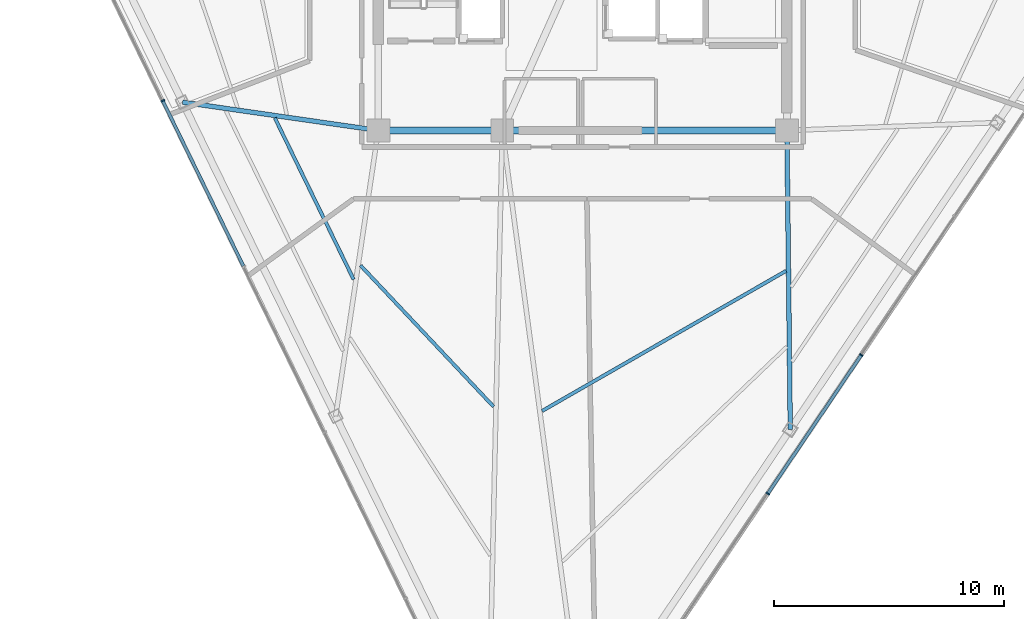
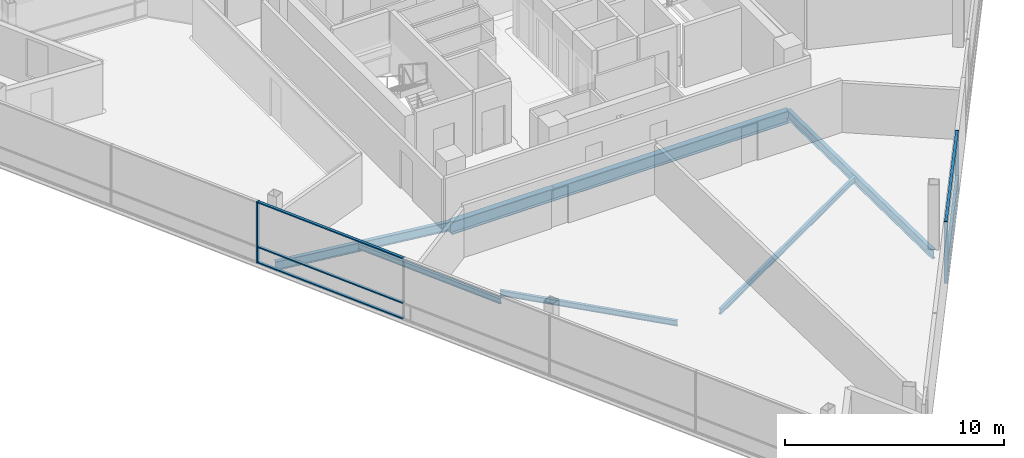
# One storey, part 3 of 14: 9 members, 7 beams, 2 elements without a shape of their own.
"""IFC4 building model written with IfcOpenShell, lengths in metres."""

import ifcopenshell
import ifcopenshell.guid

model = None  # the IFC model being written
_history = None  # IfcOwnerHistory: only IFC2X3 demands one
_inside = {}  # id of a spatial element -> (the spatial element, [elements in it])
_under = {}  # id of a project, library or spatial element -> (it, [spatial elements below it])
_declared = {}  # id of a project -> (the project, [libraries it declares])
_typed = {}  # id of a type object -> (the type object, [elements of that type])
_made_of = {}  # id of a material, layer set ... -> (it, [elements and type objects made of it])


def new_model(schema):
    """Start an empty IFC model of exactly this schema.

    Asked for "IFC4X3", IfcOpenShell would pick the latest addendum, in which some entities
    have other attributes; the version numbers below select the first issue.
    IFC2X3 requires an IfcOwnerHistory on every rooted entity: one is made here for all.
    """
    global model, _history
    if schema == "IFC4X3":
        model = ifcopenshell.file(schema_version=(4, 3, 0, 0))
    else:
        model = ifcopenshell.file(schema=schema)
    _inside.clear()
    _under.clear()
    _declared.clear()
    _typed.clear()
    _made_of.clear()
    _history = None
    if model.schema == "IFC2X3":
        org = make("IfcOrganization", Name="unknown")
        user = make(
            "IfcPersonAndOrganization",
            ThePerson=make("IfcPerson", FamilyName="unknown"),
            TheOrganization=org,
        )
        app = make(
            "IfcApplication",
            ApplicationDeveloper=org,
            Version="unknown",
            ApplicationFullName="unknown",
            ApplicationIdentifier="unknown",
        )
        _history = make(
            "IfcOwnerHistory",
            OwningUser=user,
            OwningApplication=app,
            ChangeAction="ADDED",
            CreationDate=0,
        )
    return model


def make(cls, **values):
    """One entity of the class cls with the attributes given. An attribute that is None is left unset."""
    return model.create_entity(
        cls, **{name: value for name, value in values.items() if value is not None}
    )


def rooted(cls, **values):
    """An entity with a GlobalId (a new one), such as an element, a storey or a relation."""
    return make(cls, GlobalId=ifcopenshell.guid.new(), OwnerHistory=_history, **values)


def si_unit(unit_type, name, prefix=None):
    """IfcSIUnit, for example si_unit("LENGTHUNIT", "METRE", prefix="MILLI")."""
    return make("IfcSIUnit", UnitType=unit_type, Prefix=prefix, Name=name)


def assignment(units):
    """IfcUnitAssignment: the units of a project."""
    return None if units is None else make("IfcUnitAssignment", Units=units)


def point(xyz):
    """IfcCartesianPoint."""
    return None if xyz is None else make("IfcCartesianPoint", Coordinates=xyz)


def direction(xyz):
    """IfcDirection."""
    return None if xyz is None else make("IfcDirection", DirectionRatios=xyz)


def frame(location, z_axis=None, x_axis=None):
    """IfcAxis2Placement3D, a coordinate frame: its origin and axes. An axis left out is left unset."""
    return make(
        "IfcAxis2Placement3D",
        Location=point(location),
        Axis=direction(z_axis),
        RefDirection=direction(x_axis),
    )


def frame_2d(location, x_axis=None):
    """IfcAxis2Placement2D, a coordinate frame in the plane: its origin and x axis."""
    return make(
        "IfcAxis2Placement2D", Location=point(location), RefDirection=direction(x_axis)
    )


def origin():
    """The frame at (0, 0, 0) with its axes left unset."""
    return frame((0.0, 0.0, 0.0))


def origin_2d():
    """The frame at (0, 0) in the plane with its x axis left unset."""
    return frame_2d((0.0, 0.0))


def place(relative_to, where):
    """IfcLocalPlacement: puts the frame where relative to a parent placement (None: the world)."""
    return make(
        "IfcLocalPlacement", PlacementRelTo=relative_to, RelativePlacement=where
    )


def context(
    kind, dimensions, precision=None, world=None, true_north=None, identifier=None
):
    """IfcGeometricRepresentationContext, for example the 3D "Model" context."""
    return make(
        "IfcGeometricRepresentationContext",
        ContextIdentifier=identifier,
        ContextType=kind,
        CoordinateSpaceDimension=dimensions,
        Precision=precision,
        WorldCoordinateSystem=world,
        TrueNorth=true_north,
    )


def subcontext(parent, identifier, kind, view, scale=None):
    """IfcGeometricRepresentationSubContext, for example "Body" below "Model"."""
    return make(
        "IfcGeometricRepresentationSubContext",
        ContextIdentifier=identifier,
        ContextType=kind,
        ParentContext=parent,
        TargetScale=scale,
        TargetView=view,
    )


def project(units=None, contexts=None):
    """IfcProject with its units and contexts."""
    return rooted(
        "IfcProject",
        Name="project",
        RepresentationContexts=contexts,
        UnitsInContext=assignment(units),
    )


def spatial(cls, under=None, at=None, **own):
    """A site, building, storey or space (cls), placed at a placement, below another one or the project."""
    s = rooted(cls, ObjectPlacement=at, **own)
    if under is not None:
        _under.setdefault(under.id(), (under, []))[1].append(s)
    return s


def profile(cls, at=None, kind="AREA", **sizes):
    """A parametric profile (cls). Its sizes go by their IFC names, for example OverallWidth=200.0."""
    return make(cls, ProfileType=kind, Position=at, **sizes)


def rectangle(**sizes):
    """IfcRectangleProfileDef."""
    return profile("IfcRectangleProfileDef", **sizes)


def i_section(**sizes):
    """IfcIShapeProfileDef."""
    return profile("IfcIShapeProfileDef", **sizes)


def extrude(swept, where, along, depth):
    """IfcExtrudedAreaSolid: the profile swept, set in the frame where, extruded along a direction by depth."""
    return make(
        "IfcExtrudedAreaSolid",
        SweptArea=swept,
        Position=where,
        ExtrudedDirection=direction(along),
        Depth=depth,
    )


def shape(context_of_items, identifier, shape_type, items):
    """IfcShapeRepresentation: the items that make up one representation, for example the "Body"."""
    return make(
        "IfcShapeRepresentation",
        ContextOfItems=context_of_items,
        RepresentationIdentifier=identifier,
        RepresentationType=shape_type,
        Items=items,
    )


def material(Name=None, Category=None):
    """IfcMaterial."""
    return make("IfcMaterial", Name=Name, Category=Category)


def layer(
    of_material, thickness, ventilated=None, Name=None, Category=None, Priority=None
):
    """IfcMaterialLayer: one layer of a wall or slab, of a material (None: an air gap)."""
    return make(
        "IfcMaterialLayer",
        Material=of_material,
        LayerThickness=thickness,
        IsVentilated=ventilated,
        Name=Name,
        Category=Category,
        Priority=Priority,
    )


def layer_set(layers, Name=None):
    """IfcMaterialLayerSet."""
    return make("IfcMaterialLayerSet", MaterialLayers=layers, LayerSetName=Name)


def material_profile(
    of_material, cross_section, Name=None, Category=None, Priority=None
):
    """IfcMaterialProfile: a cross section and its material."""
    return make(
        "IfcMaterialProfile",
        Name=Name,
        Material=of_material,
        Profile=cross_section,
        Priority=Priority,
        Category=Category,
    )


def profile_set(profiles, Name=None, composite=None):
    """IfcMaterialProfileSet."""
    return make(
        "IfcMaterialProfileSet",
        Name=Name,
        MaterialProfiles=profiles,
        CompositeProfile=composite,
    )


def made_of(thing, what):
    """Note that an element or type object is made of a material, layer set ...; save() writes the relation."""
    if what is not None:
        _made_of.setdefault(what.id(), (what, []))[1].append(thing)
    return thing


def type_object(cls, material=None, **own):
    """A type object (cls), such as IfcWallType, which elements share."""
    return made_of(rooted(cls, **own), material)


def element(
    cls,
    number,
    at=None,
    inside=None,
    cuts=None,
    type_object=None,
    material=None,
    context=None,
    identifier="Body",
    shape_type=None,
    held_by="IfcProductDefinitionShape",
    body=None,
    shapes=None,
    **own,
):
    """One element of the class cls, such as IfcWall. Its Tag is "e" and its number.

    at: its placement. inside: the storey or other place that contains it. cuts: it is an
    opening in that element (IfcRelVoidsElement). A single representation is given by context,
    identifier, shape_type and body (its items); several are given by shapes. held_by: the class
    of the entity that holds the representations. save() writes the other relations.
    """
    e = rooted(cls, Tag="e%d" % number, ObjectPlacement=at, **own)
    if body is not None:
        shapes = [shape(context, identifier, shape_type, body)]
    if shapes is not None:
        e.Representation = make(held_by, Representations=shapes)
    if inside is not None:
        _inside.setdefault(inside.id(), (inside, []))[1].append(e)
    if cuts is not None:
        rooted(
            "IfcRelVoidsElement", RelatingBuildingElement=cuts, RelatedOpeningElement=e
        )
    if type_object is not None:
        _typed.setdefault(type_object.id(), (type_object, []))[1].append(e)
    return made_of(e, material)


def aggregate(whole, parts):
    """IfcRelAggregates: a whole, such as a stair, and the parts it consists of."""
    return rooted("IfcRelAggregates", RelatingObject=whole, RelatedObjects=parts)


def save(model, path):
    """Write the relations noted so far, then the file.

    IfcRelAggregates (storeys below a building ...), IfcRelContainedInSpatialStructure (elements
    in a storey), IfcRelDefinesByType, IfcRelAssociatesMaterial and IfcRelDeclares: one each for
    every whole, place, type object, material and project.
    """
    for whole, parts in _under.values():
        aggregate(whole, parts)
    for where, things in _inside.values():
        rooted(
            "IfcRelContainedInSpatialStructure",
            RelatedElements=things,
            RelatingStructure=where,
        )
    for kind, things in _typed.values():
        rooted("IfcRelDefinesByType", RelatedObjects=things, RelatingType=kind)
    for what, things in _made_of.values():
        rooted("IfcRelAssociatesMaterial", RelatedObjects=things, RelatingMaterial=what)
    for by, libraries in _declared.values():
        rooted("IfcRelDeclares", RelatingContext=by, RelatedDefinitions=libraries)
    model.write(path)


model = new_model("IFC4")

# Units and contexts
model_context = context("Model", 3, precision=1e-05, world=origin(), true_north=direction((0.0, 1.0)))
body_context = subcontext(model_context, "Body", "Model", "MODEL_VIEW")
ifc_project = project(units=[si_unit("LENGTHUNIT", "METRE"), si_unit("AREAUNIT", "SQUARE_METRE"), si_unit("VOLUMEUNIT", "CUBIC_METRE"), si_unit("PLANEANGLEUNIT", "RADIAN"), si_unit("MASSUNIT", "GRAM", prefix="KILO")], contexts=[model_context])

# Site, building, storey
site_placement = place(None, origin())
site = spatial("IfcSite", under=ifc_project, at=site_placement, CompositionType="ELEMENT")
building_placement = place(site_placement, origin())
building = spatial("IfcBuilding", under=site, at=building_placement, Name="Tharavind Bronze Gate", CompositionType="ELEMENT")
storey_placement = place(building_placement, frame((0.0, 0.0, 241.449951171875)))
storey = spatial("IfcBuildingStorey", under=building, at=storey_placement, Name="L62", CompositionType="ELEMENT", Elevation=241.449951171875)

# Curtain wall, member
ifc_material_1 = material(Name="Anodised Bronze Aluminium", Category="aluminium")
ifc_layer = layer(ifc_material_1, 0.219970703125)
ifc_layer_set = layer_set([ifc_layer], Name="Anodised Bronze Aluminium")
curtain_wall_type = type_object("IfcCurtainWallType", Name="UNITISED CURTAIN WALL UPPER OFFICE", PredefinedType="USERDEFINED", material=ifc_layer_set)
curtain_wall_1_placement = place(storey_placement, origin())
curtain_wall_1 = element("IfcCurtainWall", 1, at=curtain_wall_1_placement, inside=storey, type_object=curtain_wall_type, Name="L62 unitised curtain wall upper office CW-L62-S1", ObjectType="UNITISED CURTAIN WALL", PredefinedType="USERDEFINED")
member_type_1 = type_object("IfcMemberType", Name="CURTAIN WALL BRONZE MULLION 65X180", PredefinedType="MULLION", material=ifc_material_1)
member_1_placement = place(storey_placement, frame((-18.289794921875, -6.308349609375, 0.0), z_axis=(0.0, 0.0, 1.0), x_axis=(0.438371146789, -0.898794046299, 0.0)))
member_1 = element("IfcMember", 2, at=member_1_placement, type_object=member_type_1, Name="CW-L62-S1 mullion 3", PredefinedType="MULLION", context=body_context, shape_type="SweptSolid", body=[
    extrude(rectangle(XDim=0.06494140625, YDim=0.179931640625, at=origin_2d()), origin(), (0.0, 0.0, 1.0), 3.419921875),
])

# Curtain wall, members
curtain_wall_2_placement = place(storey_placement, origin())
curtain_wall_2 = element("IfcCurtainWall", 3, at=curtain_wall_2_placement, inside=storey, type_object=curtain_wall_type, Name="L62 unitised curtain wall upper office CW-L62-S2", ObjectType="UNITISED CURTAIN WALL", PredefinedType="USERDEFINED")
member_2_placement = place(storey_placement, frame((8.06787109375, -23.4189453125, 0.0), z_axis=(0.0, 0.0, 1.0), x_axis=(0.559192903471, 0.829037572555, 0.0)))
member_2 = element("IfcMember", 4, at=member_2_placement, type_object=member_type_1, Name="CW-L62-S2 mullion 3", PredefinedType="MULLION", context=body_context, shape_type="SweptSolid", body=[
    extrude(rectangle(XDim=0.06494140625, YDim=0.179931640625, at=origin_2d()), origin(), (0.0, 0.0, 1.0), 3.419921875),
])
member_3_placement = place(storey_placement, frame((12.140380859375, -17.381103515625, 0.0), z_axis=(0.0, 0.0, 1.0), x_axis=(0.559192903471, 0.829037572555, 0.0)))
member_3 = element("IfcMember", 5, at=member_3_placement, type_object=member_type_1, Name="CW-L62-S2 mullion 4", PredefinedType="MULLION", context=body_context, shape_type="SweptSolid", body=[
    extrude(rectangle(XDim=0.06494140625, YDim=0.179931640625, at=origin_2d()), origin(), (0.0, 0.0, 1.0), 3.419921875),
])

# Member
member_type_2 = type_object("IfcMemberType", Name="CURTAIN WALL BRONZE TRANSOM 65X140", PredefinedType="USERDEFINED", material=ifc_material_1)
member_4_placement = place(storey_placement, frame((-16.528076171875, -9.920654296875, 0.0), z_axis=(0.0, 0.0, 1.0), x_axis=(0.438371146789, -0.898794046299, 0.0)))
member_4 = element("IfcMember", 6, at=member_4_placement, type_object=member_type_2, Name="CW-L62-S1 transom TB3", ObjectType="TRANSOM", PredefinedType="USERDEFINED", context=body_context, shape_type="SweptSolid", body=[
    extrude(rectangle(XDim=7.985107421875, YDim=0.139892578125, at=origin_2d()), origin(), (0.0, 0.0, 1.0), 0.06494140625),
])

member_5_placement = place(storey_placement, frame((-16.528076171875, -9.920654296875, 0.86767578125), z_axis=(0.0, 0.0, 1.0), x_axis=(0.438371146789, -0.898794046299, 0.0)))
member_5 = element("IfcMember", 7, at=member_5_placement, type_object=member_type_2, Name="CW-L62-S1 transom TS3", ObjectType="TRANSOM", PredefinedType="USERDEFINED", context=body_context, shape_type="SweptSolid", body=[
    extrude(rectangle(XDim=7.985107421875, YDim=0.139892578125, at=origin_2d()), origin(), (0.0, 0.0, 1.0), 0.06494140625),
])

member_6_placement = place(storey_placement, frame((-16.528076171875, -9.920654296875, 3.35498046875), z_axis=(0.0, 0.0, 1.0), x_axis=(0.438371146789, -0.898794046299, 0.0)))
member_6 = element("IfcMember", 8, at=member_6_placement, type_object=member_type_2, Name="CW-L62-S1 transom TT3", ObjectType="TRANSOM", PredefinedType="USERDEFINED", context=body_context, shape_type="SweptSolid", body=[
    extrude(rectangle(XDim=7.985107421875, YDim=0.139892578125, at=origin_2d()), origin(), (0.0, 0.0, 1.0), 0.06494140625),
])

aggregate(curtain_wall_1, [member_1, member_4, member_5, member_6])

member_7_placement = place(storey_placement, frame((10.10400390625, -20.39990234375, 0.0), z_axis=(0.0, 0.0, 1.0), x_axis=(0.559192903471, 0.829037572555, 0.0)))
member_7 = element("IfcMember", 9, at=member_7_placement, type_object=member_type_2, Name="CW-L62-S2 transom TB3", ObjectType="TRANSOM", PredefinedType="USERDEFINED", context=body_context, shape_type="SweptSolid", body=[
    extrude(rectangle(XDim=7.22998046875, YDim=0.139892578125, at=origin_2d()), origin(), (0.0, 0.0, 1.0), 0.06494140625),
])

member_8_placement = place(storey_placement, frame((10.10400390625, -20.39990234375, 0.86767578125), z_axis=(0.0, 0.0, 1.0), x_axis=(0.559192903471, 0.829037572555, 0.0)))
member_8 = element("IfcMember", 10, at=member_8_placement, type_object=member_type_2, Name="CW-L62-S2 transom TS3", ObjectType="TRANSOM", PredefinedType="USERDEFINED", context=body_context, shape_type="SweptSolid", body=[
    extrude(rectangle(XDim=7.22998046875, YDim=0.139892578125, at=origin_2d()), origin(), (0.0, 0.0, 1.0), 0.06494140625),
])

member_9_placement = place(storey_placement, frame((10.10400390625, -20.39990234375, 3.35498046875), z_axis=(0.0, 0.0, 1.0), x_axis=(0.559192903471, 0.829037572555, 0.0)))
member_9 = element("IfcMember", 11, at=member_9_placement, type_object=member_type_2, Name="CW-L62-S2 transom TT3", ObjectType="TRANSOM", PredefinedType="USERDEFINED", context=body_context, shape_type="SweptSolid", body=[
    extrude(rectangle(XDim=7.22998046875, YDim=0.139892578125, at=origin_2d()), origin(), (0.0, 0.0, 1.0), 0.06494140625),
])

aggregate(curtain_wall_2, [member_2, member_3, member_7, member_8, member_9])

# Beams
ifc_material_2 = material(Name="Steel S355", Category="steel")
ifc_material_profile_1 = material_profile(ifc_material_2, i_section(OverallWidth=0.199951171875, OverallDepth=0.5, WebThickness=0.01025390625, FlangeThickness=0.01611328125, at=origin_2d()), Name="IPE500")
ifc_profile_set_1 = profile_set([ifc_material_profile_1], Name="Steel S355")
beam_type_1 = type_object("IfcBeamType", Name="PRIMARY GIRDER IPE500", PredefinedType="USERDEFINED", material=ifc_profile_set_1)
beam_1_placement = place(storey_placement, frame((-17.42578125, -6.368896484375, -0.429931640625), z_axis=(0.989733524733, -0.142924980391, 0.0), x_axis=(0.142924980391, 0.989733524733, 0.0)))
element("IfcBeam", 12, at=beam_1_placement, inside=storey, type_object=beam_type_1, Name="L62 primary girder ipe500 BM-L62-RAD02", ObjectType="GIRDER", PredefinedType="USERDEFINED", context=body_context, shape_type="SweptSolid", body=[
    extrude(i_section(OverallWidth=0.199951171875, OverallDepth=0.5, WebThickness=0.01025390625, FlangeThickness=0.01611328125, at=origin_2d()), origin(), (0.0, 0.0, 1.0), 8.6142578125),
])
beam_2_placement = place(storey_placement, frame((9.045654296875, -20.627685546875, -0.429931640625), z_axis=(-0.01118724612, 0.999937420804, 0.0), x_axis=(-0.999937420804, -0.01118724612, 0.0)))
element("IfcBeam", 13, at=beam_2_placement, inside=storey, type_object=beam_type_1, Name="L62 primary girder ipe500 BM-L62-RAD06", ObjectType="GIRDER", PredefinedType="USERDEFINED", context=body_context, shape_type="SweptSolid", body=[
    extrude(i_section(OverallWidth=0.199951171875, OverallDepth=0.5, WebThickness=0.01025390625, FlangeThickness=0.01611328125, at=origin_2d()), origin(), (0.0, 0.0, 1.0), 13.0283203125),
])
ifc_material_profile_2 = material_profile(ifc_material_2, i_section(OverallWidth=0.300048828125, OverallDepth=0.699951171875, WebThickness=0.01708984375, FlangeThickness=0.031982421875, at=origin_2d()), Name="HE700B")
ifc_profile_set_2 = profile_set([ifc_material_profile_2], Name="Steel S355")
beam_type_2 = type_object("IfcBeamType", Name="RING GIRDER HE700B", PredefinedType="USERDEFINED", material=ifc_profile_set_2)
beam_3_placement = place(storey_placement, frame((-8.89990234375, -7.60009765625, -0.530029296875), z_axis=(1.0, 0.0, 0.0), x_axis=(0.0, 1.0, 0.0)))
element("IfcBeam", 14, at=beam_3_placement, inside=storey, type_object=beam_type_2, Name="L62 ring girder he700b BM-L62-CR1", ObjectType="GIRDER", PredefinedType="USERDEFINED", context=body_context, shape_type="SweptSolid", body=[
    extrude(i_section(OverallWidth=0.300048828125, OverallDepth=0.699951171875, WebThickness=0.01708984375, FlangeThickness=0.031982421875, at=origin_2d()), origin(), (0.0, 0.0, 1.0), 5.39990234375),
])
beam_4_placement = place(storey_placement, frame((-3.5, -7.60009765625, -0.530029296875), z_axis=(1.0, 0.0, 0.0), x_axis=(0.0, 1.0, 0.0)))
element("IfcBeam", 15, at=beam_4_placement, inside=storey, type_object=beam_type_2, Name="L62 ring girder he700b BM-L62-CR2", ObjectType="GIRDER", PredefinedType="USERDEFINED", context=body_context, shape_type="SweptSolid", body=[
    extrude(i_section(OverallWidth=0.300048828125, OverallDepth=0.699951171875, WebThickness=0.01708984375, FlangeThickness=0.031982421875, at=origin_2d()), origin(), (0.0, 0.0, 1.0), 12.39990234375),
])
ifc_material_profile_3 = material_profile(ifc_material_2, i_section(OverallWidth=0.14990234375, OverallDepth=0.300048828125, WebThickness=0.007080078125, FlangeThickness=0.0107421875, at=origin_2d()), Name="IPE300")
ifc_profile_set_3 = profile_set([ifc_material_profile_3], Name="Steel S355")
beam_type_3 = type_object("IfcBeamType", Name="SECONDARY FLOOR JOIST IPE300", PredefinedType="JOIST", material=ifc_profile_set_3)
beam_5_placement = place(storey_placement, frame((-13.406494140625, -7.0537109375, -0.329833984375), z_axis=(0.438363440935, -0.898797804654, 0.0), x_axis=(0.898797804654, 0.438363440935, 0.0)))
element("IfcBeam", 16, at=beam_5_placement, inside=storey, type_object=beam_type_3, Name="L62 secondary floor joist ipe300 BM-L62-JSTA02", PredefinedType="JOIST", context=body_context, shape_type="SweptSolid", body=[
    extrude(i_section(OverallWidth=0.14990234375, OverallDepth=0.300048828125, WebThickness=0.007080078125, FlangeThickness=0.0107421875, at=origin_2d()), origin(), (0.0, 0.0, 1.0), 7.83154296875),
])
beam_6_placement = place(storey_placement, frame((-9.674072265625, -13.47998046875, -0.329833984375), z_axis=(0.685776148946, -0.727812526367, 0.0), x_axis=(0.727812526367, 0.685776148946, 0.0)))
element("IfcBeam", 17, at=beam_6_placement, inside=storey, type_object=beam_type_3, Name="L62 secondary floor joist ipe300 BM-L62-JSTA03", PredefinedType="JOIST", context=body_context, shape_type="SweptSolid", body=[
    extrude(i_section(OverallWidth=0.14990234375, OverallDepth=0.300048828125, WebThickness=0.007080078125, FlangeThickness=0.0107421875, at=origin_2d()), origin(), (0.0, 0.0, 1.0), 8.456298828125),
])
beam_7_placement = place(storey_placement, frame((-1.7626953125, -19.8193359375, -0.329833984375), z_axis=(0.867210244303, 0.497942157459, 0.0), x_axis=(-0.497942157459, 0.867210244303, 0.0)))
element("IfcBeam", 18, at=beam_7_placement, inside=storey, type_object=beam_type_3, Name="L62 secondary floor joist ipe300 BM-L62-JSTA05", PredefinedType="JOIST", context=body_context, shape_type="SweptSolid", body=[
    extrude(i_section(OverallWidth=0.14990234375, OverallDepth=0.300048828125, WebThickness=0.007080078125, FlangeThickness=0.0107421875, at=origin_2d()), origin(), (0.0, 0.0, 1.0), 12.255126953125),
])

save(model, "model.ifc")
